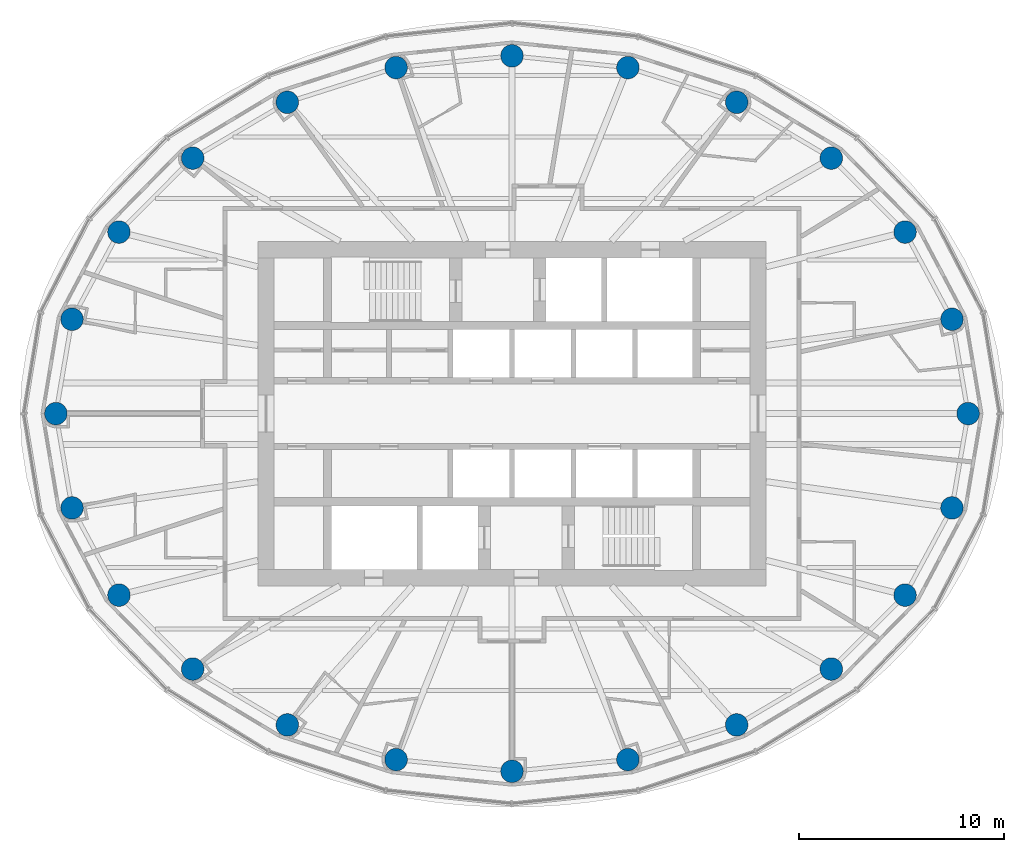
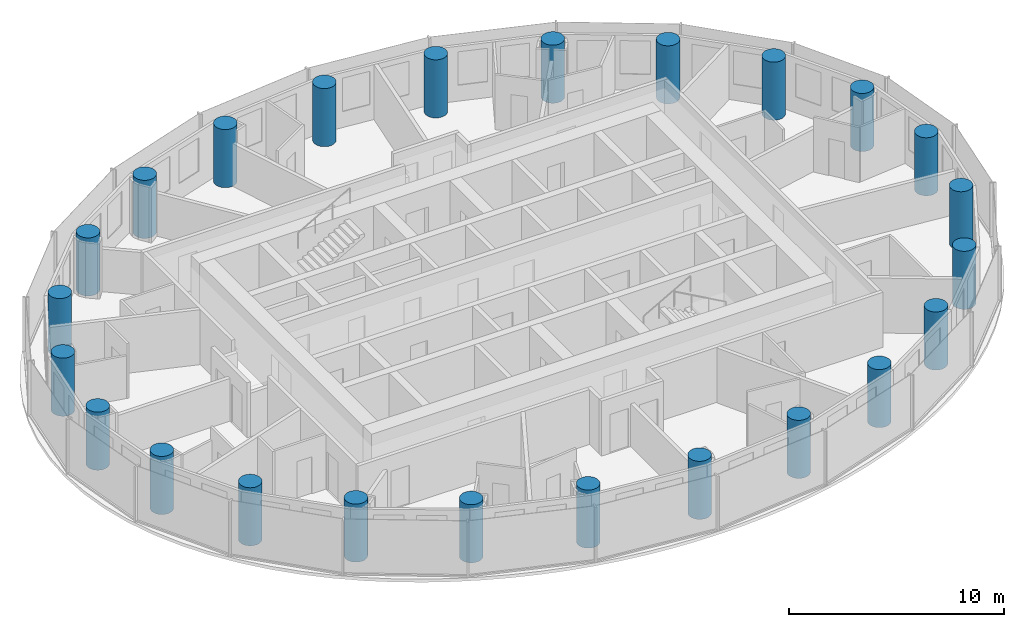
# One storey, part 1 of 13: 24 columns.
"""IFC4 building model written with IfcOpenShell, lengths in metres."""

from ifc_helpers import new_model, si_unit, direction, frame, origin, origin_2d, place, context, subcontext, project, spatial, circle, extrude, material, material_profile, profile_set, type_object, element, save


model = new_model("IFC4")

# Units and contexts
model_context = context("Model", 3, precision=1e-05, world=origin(), true_north=direction((0.0, 1.0)))
body_context = subcontext(model_context, "Body", "Model", "MODEL_VIEW")
ifc_project = project(units=[si_unit("LENGTHUNIT", "METRE"), si_unit("AREAUNIT", "SQUARE_METRE"), si_unit("VOLUMEUNIT", "CUBIC_METRE"), si_unit("PLANEANGLEUNIT", "RADIAN"), si_unit("MASSUNIT", "GRAM", prefix="KILO")], contexts=[model_context])

# Site, building, storey
site_placement = place(None, origin())
site = spatial("IfcSite", under=ifc_project, at=site_placement, CompositionType="ELEMENT")
building_placement = place(site_placement, origin())
building = spatial("IfcBuilding", under=site, at=building_placement, Name="Hankou Lantern Tower", CompositionType="ELEMENT")
storey_placement = place(building_placement, frame((0.0, 0.0, 156.60009765625)))
storey = spatial("IfcBuildingStorey", under=building, at=storey_placement, Name="L41", CompositionType="ELEMENT", Elevation=156.60009765625)

# Columns
ifc_material = material(Name="Concrete C50", Category="concrete")
ifc_material_profile = material_profile(ifc_material, circle(Radius=0.550048828125, at=origin_2d()), Name="RC D1100")
ifc_profile_set = profile_set([ifc_material_profile], Name="Concrete C50")
column_type = type_object("IfcColumnType", Name="TC4 PERIMETER COLUMN RC D1100", PredefinedType="COLUMN", material=ifc_profile_set)
for number, where, z_axis, x_axis, name in (
    (1, (22.25, 0.0, 0.0), (0.0, 0.0, 1.0), (1.0, 0.0, 0.0), "Column R01 L41"),
    (2, (21.462646484375, 4.600830078125, 0.0), (0.0, 0.0, 1.0), (1.0, 0.0, 0.0), "Column R02 L41"),
    (3, (19.172119140625, 8.855224609375, 0.0), (0.0, 0.0, 1.0), (1.0, 0.0, 0.0), "Column R03 L41"),
    (4, (15.576171875, 12.4609375, 0.0), (0.0, 0.0, 1.0), (1.0, 0.0, 0.0), "Column R04 L41"),
    (5, (10.959716796875, 15.186279296875, 0.0), (0.0, 0.0, 1.0), (1.0, 0.0, 0.0), "Column R05 L41"),
    (6, (5.65283203125, 16.87744140625, 0.0), (0.0, 0.0, 1.0), (1.0, 0.0, 0.0), "Column R06 L41"),
    (7, (0.0, 17.449951171875, 0.0), (0.0, 0.0, 1.0), (1.0, 0.0, 0.0), "Column R07 L41"),
    (8, (-5.65283203125, 16.87744140625, 0.0), (0.0, 0.0, 1.0), (1.0, 0.0, 0.0), "Column R08 L41"),
    (9, (-10.959716796875, 15.186279296875, 0.0), (0.0, 0.0, 1.0), (1.0, 0.0, 0.0), "Column R09 L41"),
    (10, (-15.576171875, 12.4609375, 0.0), (0.0, 0.0, 1.0), (1.0, 0.0, 0.0), "Column R10 L41"),
    (11, (-19.172119140625, 8.855224609375, 0.0), (0.0, 0.0, 1.0), (1.0, 0.0, 0.0), "Column R11 L41"),
    (12, (-21.462646484375, 4.600830078125, 0.0), (0.0, 0.0, 1.0), (1.0, 0.0, 0.0), "Column R12 L41"),
    (13, (-22.25, 0.0, 0.0), (0.0, 0.0, 1.0), (1.0, 0.0, 0.0), "Column R13 L41"),
    (14, (-21.462646484375, -4.600830078125, 0.0), (0.0, 0.0, 1.0), (1.0, 0.0, 0.0), "Column R14 L41"),
    (15, (-19.172119140625, -8.855224609375, 0.0), (0.0, 0.0, 1.0), (1.0, 0.0, 0.0), "Column R15 L41"),
    (16, (-15.576171875, -12.4609375, 0.0), (0.0, 0.0, 1.0), (1.0, 0.0, 0.0), "Column R16 L41"),
    (17, (-10.959716796875, -15.186279296875, 0.0), (0.0, 0.0, 1.0), (1.0, 0.0, 0.0), "Column R17 L41"),
    (18, (-5.65283203125, -16.87744140625, 0.0), (0.0, 0.0, 1.0), (1.0, 0.0, 0.0), "Column R18 L41"),
    (19, (0.0, -17.449951171875, 0.0), (0.0, 0.0, 1.0), (1.0, 0.0, 0.0), "Column R19 L41"),
    (20, (5.65283203125, -16.87744140625, 0.0), (0.0, 0.0, 1.0), (1.0, 0.0, 0.0), "Column R20 L41"),
    (21, (10.959716796875, -15.186279296875, 0.0), (0.0, 0.0, 1.0), (1.0, 0.0, 0.0), "Column R21 L41"),
    (22, (15.576171875, -12.4609375, 0.0), (0.0, 0.0, 1.0), (1.0, 0.0, 0.0), "Column R22 L41"),
    (23, (19.172119140625, -8.855224609375, 0.0), (0.0, 0.0, 1.0), (1.0, 0.0, 0.0), "Column R23 L41"),
    (24, (21.462646484375, -4.600830078125, 0.0), (0.0, 0.0, 1.0), (1.0, 0.0, 0.0), "Column R24 L41"),
):
    element("IfcColumn", number, at=place(storey_placement, frame(where, z_axis=z_axis, x_axis=x_axis)), inside=storey, type_object=column_type, Name=name, PredefinedType="COLUMN", context=body_context, shape_type="SweptSolid", body=[
        extrude(circle(Radius=0.550048828125, at=origin_2d()), origin(), (0.0, 0.0, 1.0), 3.2998046875),
    ])

save(model, "model.ifc")
